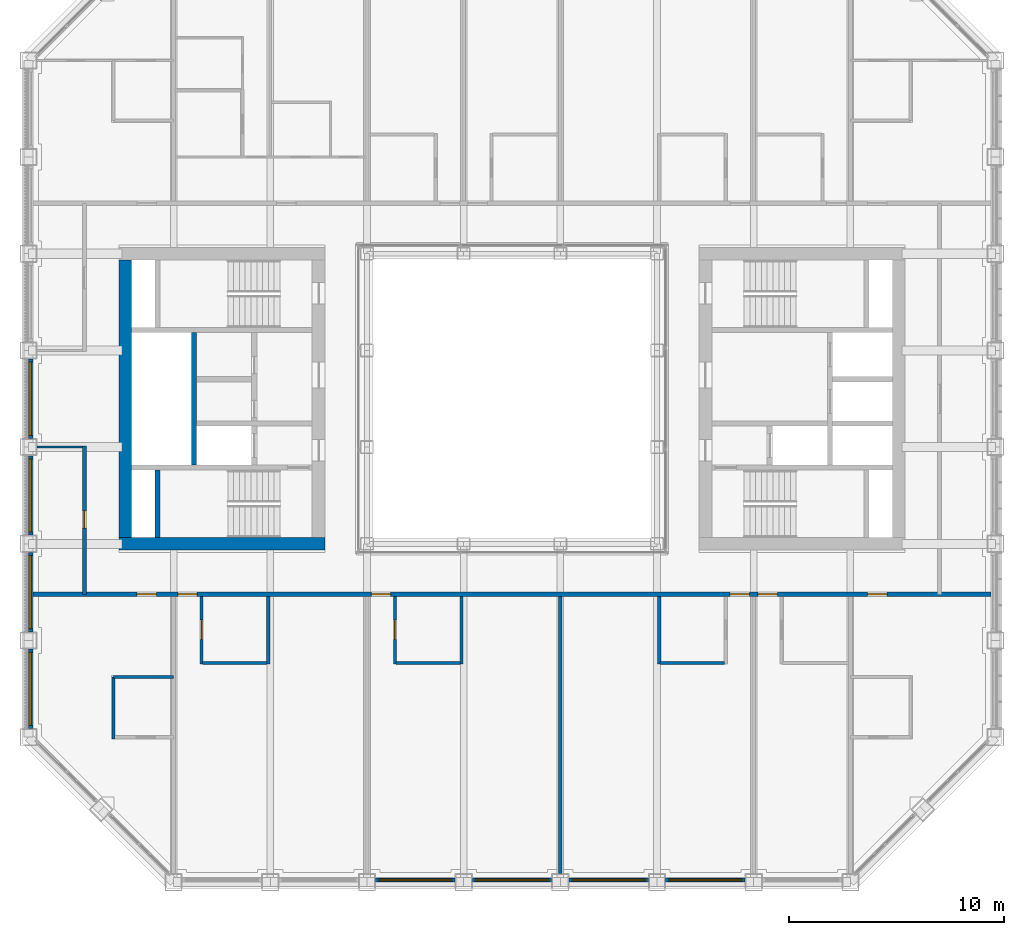
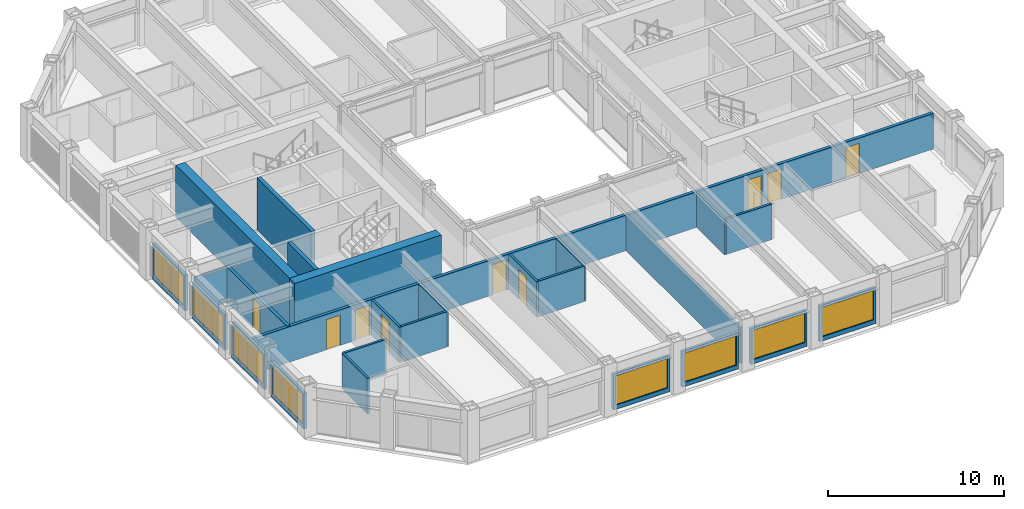
# One storey, part 10 of 17: 26 walls, 9 doors, 8 windows, 17 openings.
"""IFC4 building model written with IfcOpenShell, lengths in metres."""

from ifc_helpers import new_model, si_unit, direction, frame, frame_2d, origin, place, context, subcontext, project, spatial, rectangle, extrude, material, layer, layer_set, type_object, element, fill, save


model = new_model("IFC4")

# Units and contexts
model_context = context("Model", 3, precision=1e-05, world=origin(), true_north=direction((0.0, 1.0)))
body_context = subcontext(model_context, "Body", "Model", "MODEL_VIEW")
ifc_project = project(units=[si_unit("LENGTHUNIT", "METRE"), si_unit("AREAUNIT", "SQUARE_METRE"), si_unit("VOLUMEUNIT", "CUBIC_METRE"), si_unit("PLANEANGLEUNIT", "RADIAN"), si_unit("MASSUNIT", "GRAM", prefix="KILO")], contexts=[model_context])

# Site, building, storey
site_placement = place(None, origin())
site = spatial("IfcSite", under=ifc_project, at=site_placement, CompositionType="ELEMENT")
building_placement = place(site_placement, origin())
building = spatial("IfcBuilding", under=site, at=building_placement, Name="Msasa Ring Tower", CompositionType="ELEMENT")
storey_placement = place(building_placement, frame((0.0, 0.0, 172.39990234375)))
storey = spatial("IfcBuildingStorey", under=building, at=storey_placement, Name="L45", CompositionType="ELEMENT", Elevation=172.39990234375)

# Walls
ifc_material_1 = material(Name="Concrete C60/75", Category="concrete")
ifc_layer_1 = layer(ifc_material_1, 0.60009765625)
ifc_layer_set_1 = layer_set([ifc_layer_1], Name="CW2 CORE WALL 600")
wall_type_1 = type_object("IfcWallType", Name="CW2 CORE WALL 600", PredefinedType="SHEAR", material=ifc_layer_set_1)
wall_1_placement = place(storey_placement, frame((-8.699951171875, -6.75, 0.0), z_axis=(0.0, 0.0, 1.0), x_axis=(-1.0, 0.0, 0.0)))
element("IfcWall", 1, at=wall_1_placement, inside=storey, type_object=wall_type_1, Name="W core wall S L45", PredefinedType="SHEAR", context=body_context, shape_type="SweptSolid", body=[
    extrude(rectangle(XDim=9.60009765625, YDim=0.60009765625, at=frame_2d((4.800048828125, 0.0))), origin(), (0.0, 0.0, 1.0), 3.60009765625),
])
wall_2_placement = place(storey_placement, frame((-18.0, -6.449951171875, 0.0), z_axis=(0.0, 0.0, 1.0), x_axis=(0.0, 1.0, 0.0)))
element("IfcWall", 2, at=wall_2_placement, inside=storey, type_object=wall_type_1, Name="W core wall E L45", PredefinedType="SHEAR", context=body_context, shape_type="SweptSolid", body=[
    extrude(rectangle(XDim=12.89990234375, YDim=0.60009765625, at=frame_2d((6.449951171875, 0.0))), origin(), (0.0, 0.0, 1.0), 3.60009765625),
])
ifc_material_2 = material(Name="Concrete C60/75", Category="concrete")
ifc_layer_2 = layer(ifc_material_2, 0.25)
ifc_layer_set_2 = layer_set([ifc_layer_2], Name="CW4 CORE INNER WALL 250")
wall_type_2 = type_object("IfcWallType", Name="CW4 CORE INNER WALL 250", PredefinedType="SHEAR", material=ifc_layer_set_2)
wall_3_placement = place(storey_placement, frame((-16.5, -6.449951171875, 0.0), z_axis=(0.0, 0.0, 1.0), x_axis=(0.0, 1.0, 0.0)))
element("IfcWall", 3, at=wall_3_placement, inside=storey, type_object=wall_type_2, Name="W core wall RISERA L45", PredefinedType="SHEAR", context=body_context, shape_type="SweptSolid", body=[
    extrude(rectangle(XDim=3.125, YDim=0.25, at=frame_2d((1.5625, 0.0))), origin(), (0.0, 0.0, 1.0), 3.60009765625),
])
wall_4_placement = place(storey_placement, frame((-14.800048828125, -3.074951171875, 0.0), z_axis=(0.0, 0.0, 1.0), x_axis=(0.0, 1.0, 0.0)))
element("IfcWall", 4, at=wall_4_placement, inside=storey, type_object=wall_type_2, Name="W core wall SHAFT L45", PredefinedType="SHEAR", context=body_context, shape_type="SweptSolid", body=[
    extrude(rectangle(XDim=6.14990234375, YDim=0.25, at=frame_2d((3.074951171875, 0.0))), origin(), (0.0, 0.0, 1.0), 3.60009765625),
])

# Wall, opening, window
ifc_material_3 = material(Name="Terracotta rainscreen on blockwork", Category="masonry")
ifc_layer_3 = layer(ifc_material_3, 0.199951171875)
ifc_layer_set_3 = layer_set([ifc_layer_3], Name="FW1 TERRACOTTA-LINED INFILL BAY WALL 200")
wall_type_3 = type_object("IfcWallType", Name="FW1 TERRACOTTA-LINED INFILL BAY WALL 200", PredefinedType="SOLIDWALL", material=ifc_layer_set_3)
wall_5_placement = place(storey_placement, frame((-6.344970703125, -22.39990234375, 0.0), z_axis=(0.0, 0.0, 1.0), x_axis=(1.0, 0.0, 0.0)))
wall_5 = element("IfcWall", 5, at=wall_5_placement, inside=storey, type_object=wall_type_3, Name="Infill bay wall S L45 02", PredefinedType="SOLIDWALL", context=body_context, shape_type="SweptSolid", body=[
    extrude(rectangle(XDim=3.68994140625, YDim=0.199951171875, at=frame_2d((1.844970703125, 0.0))), origin(), (0.0, 0.0, 1.0), 2.47900390625),
])
opening_1_placement = place(wall_5_placement, frame((0.14501953125, 0.0, 0.300048828125)))
opening_1 = element("IfcOpeningElement", 6, at=opening_1_placement, cuts=wall_5, Name="Opening WN2", PredefinedType="OPENING", context=body_context, shape_type="SweptSolid", body=[
    extrude(rectangle(XDim=3.39990234375, YDim=2.029052734375, at=frame_2d((1.699951171875, 1.0146484375))), frame((0.0, 0.10986328125, 0.0), z_axis=(0.0, -1.0, 0.0), x_axis=(1.0, 0.0, 0.0)), (0.0, 0.0, 1.0), 0.219970703125),
])
ifc_material_4 = material(Name="Aluminium frame with clear glass", Category="aluminium")
window_type = type_object("IfcWindowType", Name="WN2 GUEST ROOM WINDOW 3400x2029", PartitioningType="SINGLE_PANEL", PredefinedType="WINDOW", material=ifc_material_4)
window_1_placement = place(opening_1_placement, origin())
window_1 = element("IfcWindow", 7, at=window_1_placement, inside=storey, type_object=window_type, Name="Window S L45 02", OverallHeight=2.029052734375, OverallWidth=3.39990234375, PartitioningType="SINGLE_PANEL", PredefinedType="WINDOW", context=body_context, shape_type="SweptSolid", body=[
    extrude(rectangle(XDim=3.39990234375, YDim=2.029052734375, at=frame_2d((1.699951171875, 1.0146484375))), frame((0.0, 0.030029296875, 0.0), z_axis=(0.0, -1.0, 0.0), x_axis=(1.0, 0.0, 0.0)), (0.0, 0.0, 1.0), 0.06005859375),
])
fill(opening_1, window_1)

wall_6_placement = place(storey_placement, frame((-1.844970703125, -22.39990234375, 0.0), z_axis=(0.0, 0.0, 1.0), x_axis=(1.0, 0.0, 0.0)))
wall_6 = element("IfcWall", 8, at=wall_6_placement, inside=storey, type_object=wall_type_3, Name="Infill bay wall S L45 03", PredefinedType="SOLIDWALL", context=body_context, shape_type="SweptSolid", body=[
    extrude(rectangle(XDim=3.68994140625, YDim=0.199951171875, at=frame_2d((1.844970703125, 0.0))), origin(), (0.0, 0.0, 1.0), 2.47900390625),
])
opening_2_placement = place(wall_6_placement, frame((0.14501953125, 0.0, 0.300048828125)))
opening_2 = element("IfcOpeningElement", 9, at=opening_2_placement, cuts=wall_6, Name="Opening WN2", PredefinedType="OPENING", context=body_context, shape_type="SweptSolid", body=[
    extrude(rectangle(XDim=3.39990234375, YDim=2.029052734375, at=frame_2d((1.699951171875, 1.0146484375))), frame((0.0, 0.10986328125, 0.0), z_axis=(0.0, -1.0, 0.0), x_axis=(1.0, 0.0, 0.0)), (0.0, 0.0, 1.0), 0.219970703125),
])
window_2_placement = place(opening_2_placement, origin())
window_2 = element("IfcWindow", 10, at=window_2_placement, inside=storey, type_object=window_type, Name="Window S L45 03", OverallHeight=2.029052734375, OverallWidth=3.39990234375, PartitioningType="SINGLE_PANEL", PredefinedType="WINDOW", context=body_context, shape_type="SweptSolid", body=[
    extrude(rectangle(XDim=3.39990234375, YDim=2.029052734375, at=frame_2d((1.699951171875, 1.0146484375))), frame((0.0, 0.030029296875, 0.0), z_axis=(0.0, -1.0, 0.0), x_axis=(1.0, 0.0, 0.0)), (0.0, 0.0, 1.0), 0.06005859375),
])
fill(opening_2, window_2)

wall_7_placement = place(storey_placement, frame((2.655029296875, -22.39990234375, 0.0), z_axis=(0.0, 0.0, 1.0), x_axis=(1.0, 0.0, 0.0)))
wall_7 = element("IfcWall", 11, at=wall_7_placement, inside=storey, type_object=wall_type_3, Name="Infill bay wall S L45 04", PredefinedType="SOLIDWALL", context=body_context, shape_type="SweptSolid", body=[
    extrude(rectangle(XDim=3.68994140625, YDim=0.199951171875, at=frame_2d((1.844970703125, 0.0))), origin(), (0.0, 0.0, 1.0), 2.47900390625),
])
opening_3_placement = place(wall_7_placement, frame((0.14501953125, 0.0, 0.300048828125)))
opening_3 = element("IfcOpeningElement", 12, at=opening_3_placement, cuts=wall_7, Name="Opening WN2", PredefinedType="OPENING", context=body_context, shape_type="SweptSolid", body=[
    extrude(rectangle(XDim=3.39990234375, YDim=2.029052734375, at=frame_2d((1.699951171875, 1.0146484375))), frame((0.0, 0.10986328125, 0.0), z_axis=(0.0, -1.0, 0.0), x_axis=(1.0, 0.0, 0.0)), (0.0, 0.0, 1.0), 0.219970703125),
])
window_3_placement = place(opening_3_placement, origin())
window_3 = element("IfcWindow", 13, at=window_3_placement, inside=storey, type_object=window_type, Name="Window S L45 04", OverallHeight=2.029052734375, OverallWidth=3.39990234375, PartitioningType="SINGLE_PANEL", PredefinedType="WINDOW", context=body_context, shape_type="SweptSolid", body=[
    extrude(rectangle(XDim=3.39990234375, YDim=2.029052734375, at=frame_2d((1.699951171875, 1.0146484375))), frame((0.0, 0.030029296875, 0.0), z_axis=(0.0, -1.0, 0.0), x_axis=(1.0, 0.0, 0.0)), (0.0, 0.0, 1.0), 0.06005859375),
])
fill(opening_3, window_3)

wall_8_placement = place(storey_placement, frame((7.155029296875, -22.39990234375, 0.0), z_axis=(0.0, 0.0, 1.0), x_axis=(1.0, 0.0, 0.0)))
wall_8 = element("IfcWall", 14, at=wall_8_placement, inside=storey, type_object=wall_type_3, Name="Infill bay wall S L45 05", PredefinedType="SOLIDWALL", context=body_context, shape_type="SweptSolid", body=[
    extrude(rectangle(XDim=3.68994140625, YDim=0.199951171875, at=frame_2d((1.844970703125, 0.0))), origin(), (0.0, 0.0, 1.0), 2.47900390625),
])
opening_4_placement = place(wall_8_placement, frame((0.14501953125, 0.0, 0.300048828125)))
opening_4 = element("IfcOpeningElement", 15, at=opening_4_placement, cuts=wall_8, Name="Opening WN2", PredefinedType="OPENING", context=body_context, shape_type="SweptSolid", body=[
    extrude(rectangle(XDim=3.39990234375, YDim=2.029052734375, at=frame_2d((1.699951171875, 1.0146484375))), frame((0.0, 0.10986328125, 0.0), z_axis=(0.0, -1.0, 0.0), x_axis=(1.0, 0.0, 0.0)), (0.0, 0.0, 1.0), 0.219970703125),
])
window_4_placement = place(opening_4_placement, origin())
window_4 = element("IfcWindow", 16, at=window_4_placement, inside=storey, type_object=window_type, Name="Window S L45 05", OverallHeight=2.029052734375, OverallWidth=3.39990234375, PartitioningType="SINGLE_PANEL", PredefinedType="WINDOW", context=body_context, shape_type="SweptSolid", body=[
    extrude(rectangle(XDim=3.39990234375, YDim=2.029052734375, at=frame_2d((1.699951171875, 1.0146484375))), frame((0.0, 0.030029296875, 0.0), z_axis=(0.0, -1.0, 0.0), x_axis=(1.0, 0.0, 0.0)), (0.0, 0.0, 1.0), 0.06005859375),
])
fill(opening_4, window_4)

wall_9_placement = place(storey_placement, frame((-22.39990234375, -15.344970703125, 0.0), z_axis=(0.0, 0.0, 1.0), x_axis=(0.0, 1.0, 0.0)))
wall_9 = element("IfcWall", 17, at=wall_9_placement, inside=storey, type_object=wall_type_3, Name="Infill bay wall W L45 27", PredefinedType="SOLIDWALL", context=body_context, shape_type="SweptSolid", body=[
    extrude(rectangle(XDim=3.68994140625, YDim=0.199951171875, at=frame_2d((1.844970703125, 0.0))), origin(), (0.0, 0.0, 1.0), 2.47900390625),
])
opening_5_placement = place(wall_9_placement, frame((0.14501953125, 0.0, 0.300048828125)))
opening_5 = element("IfcOpeningElement", 18, at=opening_5_placement, cuts=wall_9, Name="Opening WN2", PredefinedType="OPENING", context=body_context, shape_type="SweptSolid", body=[
    extrude(rectangle(XDim=3.39990234375, YDim=2.029052734375, at=frame_2d((1.699951171875, 1.0146484375))), frame((0.0, 0.10986328125, 0.0), z_axis=(0.0, -1.0, 0.0), x_axis=(1.0, 0.0, 0.0)), (0.0, 0.0, 1.0), 0.219970703125),
])
window_5_placement = place(opening_5_placement, origin())
window_5 = element("IfcWindow", 19, at=window_5_placement, inside=storey, type_object=window_type, Name="Window W L45 27", OverallHeight=2.029052734375, OverallWidth=3.39990234375, PartitioningType="SINGLE_PANEL", PredefinedType="WINDOW", context=body_context, shape_type="SweptSolid", body=[
    extrude(rectangle(XDim=3.39990234375, YDim=2.029052734375, at=frame_2d((1.699951171875, 1.0146484375))), frame((0.0, 0.030029296875, 0.0), z_axis=(0.0, -1.0, 0.0), x_axis=(1.0, 0.0, 0.0)), (0.0, 0.0, 1.0), 0.06005859375),
])
fill(opening_5, window_5)

wall_10_placement = place(storey_placement, frame((-22.39990234375, -10.844970703125, 0.0), z_axis=(0.0, 0.0, 1.0), x_axis=(0.0, 1.0, 0.0)))
wall_10 = element("IfcWall", 20, at=wall_10_placement, inside=storey, type_object=wall_type_3, Name="Infill bay wall W L45 28", PredefinedType="SOLIDWALL", context=body_context, shape_type="SweptSolid", body=[
    extrude(rectangle(XDim=3.68994140625, YDim=0.199951171875, at=frame_2d((1.844970703125, 0.0))), origin(), (0.0, 0.0, 1.0), 2.47900390625),
])
opening_6_placement = place(wall_10_placement, frame((0.14501953125, 0.0, 0.300048828125)))
opening_6 = element("IfcOpeningElement", 21, at=opening_6_placement, cuts=wall_10, Name="Opening WN2", PredefinedType="OPENING", context=body_context, shape_type="SweptSolid", body=[
    extrude(rectangle(XDim=3.39990234375, YDim=2.029052734375, at=frame_2d((1.699951171875, 1.0146484375))), frame((0.0, 0.10986328125, 0.0), z_axis=(0.0, -1.0, 0.0), x_axis=(1.0, 0.0, 0.0)), (0.0, 0.0, 1.0), 0.219970703125),
])
window_6_placement = place(opening_6_placement, origin())
window_6 = element("IfcWindow", 22, at=window_6_placement, inside=storey, type_object=window_type, Name="Window W L45 28", OverallHeight=2.029052734375, OverallWidth=3.39990234375, PartitioningType="SINGLE_PANEL", PredefinedType="WINDOW", context=body_context, shape_type="SweptSolid", body=[
    extrude(rectangle(XDim=3.39990234375, YDim=2.029052734375, at=frame_2d((1.699951171875, 1.0146484375))), frame((0.0, 0.030029296875, 0.0), z_axis=(0.0, -1.0, 0.0), x_axis=(1.0, 0.0, 0.0)), (0.0, 0.0, 1.0), 0.06005859375),
])
fill(opening_6, window_6)

wall_11_placement = place(storey_placement, frame((-22.39990234375, -6.344970703125, 0.0), z_axis=(0.0, 0.0, 1.0), x_axis=(0.0, 1.0, 0.0)))
wall_11 = element("IfcWall", 23, at=wall_11_placement, inside=storey, type_object=wall_type_3, Name="Infill bay wall W L45 29", PredefinedType="SOLIDWALL", context=body_context, shape_type="SweptSolid", body=[
    extrude(rectangle(XDim=3.68994140625, YDim=0.199951171875, at=frame_2d((1.844970703125, 0.0))), origin(), (0.0, 0.0, 1.0), 2.47900390625),
])
opening_7_placement = place(wall_11_placement, frame((0.14501953125, 0.0, 0.300048828125)))
opening_7 = element("IfcOpeningElement", 24, at=opening_7_placement, cuts=wall_11, Name="Opening WN2", PredefinedType="OPENING", context=body_context, shape_type="SweptSolid", body=[
    extrude(rectangle(XDim=3.39990234375, YDim=2.029052734375, at=frame_2d((1.699951171875, 1.0146484375))), frame((0.0, 0.10986328125, 0.0), z_axis=(0.0, -1.0, 0.0), x_axis=(1.0, 0.0, 0.0)), (0.0, 0.0, 1.0), 0.219970703125),
])
window_7_placement = place(opening_7_placement, origin())
window_7 = element("IfcWindow", 25, at=window_7_placement, inside=storey, type_object=window_type, Name="Window W L45 29", OverallHeight=2.029052734375, OverallWidth=3.39990234375, PartitioningType="SINGLE_PANEL", PredefinedType="WINDOW", context=body_context, shape_type="SweptSolid", body=[
    extrude(rectangle(XDim=3.39990234375, YDim=2.029052734375, at=frame_2d((1.699951171875, 1.0146484375))), frame((0.0, 0.030029296875, 0.0), z_axis=(0.0, -1.0, 0.0), x_axis=(1.0, 0.0, 0.0)), (0.0, 0.0, 1.0), 0.06005859375),
])
fill(opening_7, window_7)

wall_12_placement = place(storey_placement, frame((-22.39990234375, -1.844970703125, 0.0), z_axis=(0.0, 0.0, 1.0), x_axis=(0.0, 1.0, 0.0)))
wall_12 = element("IfcWall", 26, at=wall_12_placement, inside=storey, type_object=wall_type_3, Name="Infill bay wall W L45 30", PredefinedType="SOLIDWALL", context=body_context, shape_type="SweptSolid", body=[
    extrude(rectangle(XDim=3.68994140625, YDim=0.199951171875, at=frame_2d((1.844970703125, 0.0))), origin(), (0.0, 0.0, 1.0), 2.47900390625),
])
opening_8_placement = place(wall_12_placement, frame((0.14501953125, 0.0, 0.300048828125)))
opening_8 = element("IfcOpeningElement", 27, at=opening_8_placement, cuts=wall_12, Name="Opening WN2", PredefinedType="OPENING", context=body_context, shape_type="SweptSolid", body=[
    extrude(rectangle(XDim=3.39990234375, YDim=2.029052734375, at=frame_2d((1.699951171875, 1.0146484375))), frame((0.0, 0.10986328125, 0.0), z_axis=(0.0, -1.0, 0.0), x_axis=(1.0, 0.0, 0.0)), (0.0, 0.0, 1.0), 0.219970703125),
])
window_8_placement = place(opening_8_placement, origin())
window_8 = element("IfcWindow", 28, at=window_8_placement, inside=storey, type_object=window_type, Name="Window W L45 30", OverallHeight=2.029052734375, OverallWidth=3.39990234375, PartitioningType="SINGLE_PANEL", PredefinedType="WINDOW", context=body_context, shape_type="SweptSolid", body=[
    extrude(rectangle(XDim=3.39990234375, YDim=2.029052734375, at=frame_2d((1.699951171875, 1.0146484375))), frame((0.0, 0.030029296875, 0.0), z_axis=(0.0, -1.0, 0.0), x_axis=(1.0, 0.0, 0.0)), (0.0, 0.0, 1.0), 0.06005859375),
])
fill(opening_8, window_8)

# Wall, openings, doors
ifc_material_5 = material(Name="Concrete blockwork", Category="masonry")
ifc_layer_4 = layer(ifc_material_5, 0.199951171875)
ifc_layer_set_4 = layer_set([ifc_layer_4], Name="PT1 CORRIDOR WALL 200")
wall_type_4 = type_object("IfcWallType", Name="PT1 CORRIDOR WALL 200", PredefinedType="PARTITIONING", material=ifc_layer_set_4)
wall_13_placement = place(storey_placement, frame((-22.300048828125, -9.10009765625, 0.0), z_axis=(0.0, 0.0, 1.0), x_axis=(1.0, 0.0, 0.0)))
wall_13 = element("IfcWall", 29, at=wall_13_placement, inside=storey, type_object=wall_type_4, Name="Corridor wall L45-CORRS0", PredefinedType="PARTITIONING", context=body_context, shape_type="SweptSolid", body=[
    extrude(rectangle(XDim=44.60009765625, YDim=0.199951171875, at=frame_2d((22.300048828125, 0.0))), origin(), (0.0, 0.0, 1.0), 2.473388671875),
])
opening_9_placement = place(wall_13_placement, frame((6.75, 0.0, 0.0)))
opening_9 = element("IfcOpeningElement", 30, at=opening_9_placement, cuts=wall_13, Name="Opening HF-035", PredefinedType="OPENING", context=body_context, shape_type="SweptSolid", body=[
    extrude(rectangle(XDim=0.89990234375, YDim=2.10009765625, at=frame_2d((0.449951171875, 1.050048828125))), frame((0.0, 0.10986328125, 0.0), z_axis=(0.0, -1.0, 0.0), x_axis=(1.0, 0.0, 0.0)), (0.0, 0.0, 1.0), 0.219970703125),
])
opening_10_placement = place(wall_13_placement, frame((15.75, 0.0, 0.0)))
opening_10 = element("IfcOpeningElement", 31, at=opening_10_placement, cuts=wall_13, Name="Opening HF-036", PredefinedType="OPENING", context=body_context, shape_type="SweptSolid", body=[
    extrude(rectangle(XDim=0.89990234375, YDim=2.10009765625, at=frame_2d((0.449951171875, 1.050048828125))), frame((0.0, 0.10986328125, 0.0), z_axis=(0.0, -1.0, 0.0), x_axis=(1.0, 0.0, 0.0)), (0.0, 0.0, 1.0), 0.219970703125),
])
opening_11_placement = place(wall_13_placement, frame((32.449951171875, 0.0, 0.0)))
opening_11 = element("IfcOpeningElement", 32, at=opening_11_placement, cuts=wall_13, Name="Opening HF-037", PredefinedType="OPENING", context=body_context, shape_type="SweptSolid", body=[
    extrude(rectangle(XDim=0.89990234375, YDim=2.10009765625, at=frame_2d((0.449951171875, 1.050048828125))), frame((0.0, 0.10986328125, 0.0), z_axis=(0.0, -1.0, 0.0), x_axis=(1.0, 0.0, 0.0)), (0.0, 0.0, 1.0), 0.219970703125),
])
opening_12_placement = place(wall_13_placement, frame((33.75, 0.0, 0.0)))
opening_12 = element("IfcOpeningElement", 33, at=opening_12_placement, cuts=wall_13, Name="Opening HF-038", PredefinedType="OPENING", context=body_context, shape_type="SweptSolid", body=[
    extrude(rectangle(XDim=0.89990234375, YDim=2.10009765625, at=frame_2d((0.449951171875, 1.050048828125))), frame((0.0, 0.10986328125, 0.0), z_axis=(0.0, -1.0, 0.0), x_axis=(1.0, 0.0, 0.0)), (0.0, 0.0, 1.0), 0.219970703125),
])
opening_13_placement = place(wall_13_placement, frame((38.85009765625, 0.0, 0.0)))
opening_13 = element("IfcOpeningElement", 34, at=opening_13_placement, cuts=wall_13, Name="Opening HF-039", PredefinedType="OPENING", context=body_context, shape_type="SweptSolid", body=[
    extrude(rectangle(XDim=0.89990234375, YDim=2.10009765625, at=frame_2d((0.449951171875, 1.050048828125))), frame((0.0, 0.10986328125, 0.0), z_axis=(0.0, -1.0, 0.0), x_axis=(1.0, 0.0, 0.0)), (0.0, 0.0, 1.0), 0.219970703125),
])
opening_14_placement = place(wall_13_placement, frame((4.85009765625, 0.0, 0.0)))
opening_14 = element("IfcOpeningElement", 35, at=opening_14_placement, cuts=wall_13, Name="Opening HF-034", PredefinedType="OPENING", context=body_context, shape_type="SweptSolid", body=[
    extrude(rectangle(XDim=0.89990234375, YDim=2.10009765625, at=frame_2d((0.449951171875, 1.050048828125))), frame((0.0, 0.10986328125, 0.0), z_axis=(0.0, -1.0, 0.0), x_axis=(1.0, 0.0, 0.0)), (0.0, 0.0, 1.0), 0.219970703125),
])
ifc_material_6 = material(Name="Timber door leaf in a steel frame", Category="steel")
door_type_1 = type_object("IfcDoorType", Name="D1 SINGLE DOOR TO CORRIDOR 900x2100", OperationType="SINGLE_SWING_LEFT", PredefinedType="DOOR", material=ifc_material_6)
door_1_placement = place(opening_9_placement, origin())
door_1 = element("IfcDoor", 36, at=door_1_placement, inside=storey, type_object=door_type_1, Name="Door L45-GS00", OperationType="SINGLE_SWING_LEFT", OverallHeight=2.10009765625, OverallWidth=0.89990234375, PredefinedType="DOOR", context=body_context, shape_type="SweptSolid", body=[
    extrude(rectangle(XDim=0.89990234375, YDim=2.10009765625, at=frame_2d((0.449951171875, 1.050048828125))), frame((0.0, 0.02490234375, 0.0), z_axis=(0.0, -1.0, 0.0), x_axis=(1.0, 0.0, 0.0)), (0.0, 0.0, 1.0), 0.050048828125),
])
fill(opening_9, door_1)
door_2_placement = place(opening_10_placement, origin())
door_2 = element("IfcDoor", 37, at=door_2_placement, inside=storey, type_object=door_type_1, Name="Door L45-GS01", OperationType="SINGLE_SWING_LEFT", OverallHeight=2.10009765625, OverallWidth=0.89990234375, PredefinedType="DOOR", context=body_context, shape_type="SweptSolid", body=[
    extrude(rectangle(XDim=0.89990234375, YDim=2.10009765625, at=frame_2d((0.449951171875, 1.050048828125))), frame((0.0, 0.02490234375, 0.0), z_axis=(0.0, -1.0, 0.0), x_axis=(1.0, 0.0, 0.0)), (0.0, 0.0, 1.0), 0.050048828125),
])
fill(opening_10, door_2)
door_3_placement = place(opening_11_placement, origin())
door_3 = element("IfcDoor", 38, at=door_3_placement, inside=storey, type_object=door_type_1, Name="Door L45-GS02", OperationType="SINGLE_SWING_RIGHT", OverallHeight=2.10009765625, OverallWidth=0.89990234375, PredefinedType="DOOR", context=body_context, shape_type="SweptSolid", body=[
    extrude(rectangle(XDim=0.89990234375, YDim=2.10009765625, at=frame_2d((0.449951171875, 1.050048828125))), frame((0.0, 0.02490234375, 0.0), z_axis=(0.0, -1.0, 0.0), x_axis=(1.0, 0.0, 0.0)), (0.0, 0.0, 1.0), 0.050048828125),
])
fill(opening_11, door_3)
door_4_placement = place(opening_12_placement, origin())
door_4 = element("IfcDoor", 39, at=door_4_placement, inside=storey, type_object=door_type_1, Name="Door L45-GS03", OperationType="SINGLE_SWING_RIGHT", OverallHeight=2.10009765625, OverallWidth=0.89990234375, PredefinedType="DOOR", context=body_context, shape_type="SweptSolid", body=[
    extrude(rectangle(XDim=0.89990234375, YDim=2.10009765625, at=frame_2d((0.449951171875, 1.050048828125))), frame((0.0, 0.02490234375, 0.0), z_axis=(0.0, -1.0, 0.0), x_axis=(1.0, 0.0, 0.0)), (0.0, 0.0, 1.0), 0.050048828125),
])
fill(opening_12, door_4)
ifc_material_7 = material(Name="Timber door leaf in a steel frame", Category="steel")
door_type_2 = type_object("IfcDoorType", Name="D2 ENTRANCE DOOR 900x2100", OperationType="SINGLE_SWING_LEFT", PredefinedType="DOOR", material=ifc_material_7)
door_5_placement = place(opening_13_placement, origin())
door_5 = element("IfcDoor", 40, at=door_5_placement, inside=storey, type_object=door_type_2, Name="Door L45-CSSE", OperationType="SINGLE_SWING_RIGHT", OverallHeight=2.10009765625, OverallWidth=0.89990234375, PredefinedType="DOOR", context=body_context, shape_type="SweptSolid", body=[
    extrude(rectangle(XDim=0.89990234375, YDim=2.10009765625, at=frame_2d((0.449951171875, 1.050048828125))), frame((0.0, 0.02490234375, 0.0), z_axis=(0.0, -1.0, 0.0), x_axis=(1.0, 0.0, 0.0)), (0.0, 0.0, 1.0), 0.050048828125),
])
fill(opening_13, door_5)
door_6_placement = place(opening_14_placement, origin())
door_6 = element("IfcDoor", 41, at=door_6_placement, inside=storey, type_object=door_type_2, Name="Door L45-CSSW", OperationType="SINGLE_SWING_LEFT", OverallHeight=2.10009765625, OverallWidth=0.89990234375, PredefinedType="DOOR", context=body_context, shape_type="SweptSolid", body=[
    extrude(rectangle(XDim=0.89990234375, YDim=2.10009765625, at=frame_2d((0.449951171875, 1.050048828125))), frame((0.0, 0.02490234375, 0.0), z_axis=(0.0, -1.0, 0.0), x_axis=(1.0, 0.0, 0.0)), (0.0, 0.0, 1.0), 0.050048828125),
])
fill(opening_14, door_6)

# Wall, opening, door
wall_14_placement = place(storey_placement, frame((-19.89990234375, -9.10009765625, 0.0), z_axis=(0.0, 0.0, 1.0), x_axis=(0.0, 1.0, 0.0)))
wall_14 = element("IfcWall", 42, at=wall_14_placement, inside=storey, type_object=wall_type_4, Name="Corridor wall L45-STRWS", PredefinedType="PARTITIONING", context=body_context, shape_type="SweptSolid", body=[
    extrude(rectangle(XDim=6.900146484375, YDim=0.199951171875, at=frame_2d((3.4501953125, 0.0))), origin(), (0.0, 0.0, 1.0), 2.473388671875),
])
opening_15_placement = place(wall_14_placement, frame((3.074951171875, 0.0, 0.0)))
opening_15 = element("IfcOpeningElement", 43, at=opening_15_placement, cuts=wall_14, Name="Opening HF-033", PredefinedType="OPENING", context=body_context, shape_type="SweptSolid", body=[
    extrude(rectangle(XDim=0.800048828125, YDim=2.10009765625, at=frame_2d((0.39990234375, 1.050048828125))), frame((0.0, 0.10986328125, 0.0), z_axis=(0.0, -1.0, 0.0), x_axis=(1.0, 0.0, 0.0)), (0.0, 0.0, 1.0), 0.219970703125),
])
ifc_material_8 = material(Name="Timber door leaf in a steel frame", Category="steel")
door_type_3 = type_object("IfcDoorType", Name="D11 NARROW STORE DOOR 800x2100", OperationType="SINGLE_SWING_LEFT", PredefinedType="DOOR", material=ifc_material_8)
door_7_placement = place(opening_15_placement, origin())
door_7 = element("IfcDoor", 44, at=door_7_placement, inside=storey, type_object=door_type_3, Name="Door L45-CLW", OperationType="SINGLE_SWING_LEFT", OverallHeight=2.10009765625, OverallWidth=0.800048828125, PredefinedType="DOOR", context=body_context, shape_type="SweptSolid", body=[
    extrude(rectangle(XDim=0.800048828125, YDim=2.10009765625, at=frame_2d((0.39990234375, 1.050048828125))), frame((0.0, 0.02490234375, 0.0), z_axis=(0.0, -1.0, 0.0), x_axis=(1.0, 0.0, 0.0)), (0.0, 0.0, 1.0), 0.050048828125),
])
fill(opening_15, door_7)

# Wall
ifc_material_9 = material(Name="Gypsum board on steel studs", Category="steel")
ifc_layer_5 = layer(ifc_material_9, 0.10009765625)
ifc_layer_set_5 = layer_set([ifc_layer_5], Name="PT2 STUD PARTITION 100")
wall_type_5 = type_object("IfcWallType", Name="PT2 STUD PARTITION 100", PredefinedType="PARTITIONING", material=ifc_layer_set_5)
wall_15_placement = place(storey_placement, frame((-22.10009765625, -2.25, 0.0), z_axis=(0.0, 0.0, 1.0), x_axis=(1.0, 0.0, 0.0)))
element("IfcWall", 45, at=wall_15_placement, inside=storey, type_object=wall_type_5, Name="Partition L45-ALWS", PredefinedType="PARTITIONING", context=body_context, shape_type="SweptSolid", body=[
    extrude(rectangle(XDim=2.10009765625, YDim=0.10009765625, at=frame_2d((1.050048828125, 0.0))), origin(), (0.0, 0.0, 1.0), 2.473388671875),
])

# Wall, opening, door
ifc_material_10 = material(Name="Moisture-resistant board on steel studs with a concealed cistern and pipe void, tiled", Category="steel")
ifc_layer_6 = layer(ifc_material_10, 0.14990234375)
ifc_layer_set_6 = layer_set([ifc_layer_6], Name="PT4 BATHROOM WET WALL 150")
wall_type_6 = type_object("IfcWallType", Name="PT4 BATHROOM WET WALL 150", PredefinedType="PARTITIONING", material=ifc_layer_set_6)
wall_16_placement = place(storey_placement, frame((-14.449951171875, -12.35009765625, 0.0), z_axis=(0.0, 0.0, 1.0), x_axis=(0.0, 1.0, 0.0)))
wall_16 = element("IfcWall", 46, at=wall_16_placement, inside=storey, type_object=wall_type_6, Name="Partition L45-GS00BX", PredefinedType="PARTITIONING", context=body_context, shape_type="SweptSolid", body=[
    extrude(rectangle(XDim=3.150146484375, YDim=0.14990234375, at=frame_2d((1.5751953125, 0.0))), origin(), (0.0, 0.0, 1.0), 2.473388671875),
])
opening_16_placement = place(wall_16_placement, frame((1.14990234375, 0.0, 0.0)))
opening_16 = element("IfcOpeningElement", 47, at=opening_16_placement, cuts=wall_16, Name="Opening HF-040", PredefinedType="OPENING", context=body_context, shape_type="SweptSolid", body=[
    extrude(rectangle(XDim=0.89990234375, YDim=2.10009765625, at=frame_2d((0.449951171875, 1.050048828125))), frame((0.0, 0.0849609375, 0.0), z_axis=(0.0, -1.0, 0.0), x_axis=(1.0, 0.0, 0.0)), (0.0, 0.0, 1.0), 0.169921875),
])
ifc_material_11 = material(Name="Timber door leaf in a steel frame", Category="steel")
door_type_4 = type_object("IfcDoorType", Name="D3 BATHROOM DOOR 900x2100", OperationType="SINGLE_SWING_LEFT", PredefinedType="DOOR", material=ifc_material_11)
door_8_placement = place(opening_16_placement, origin())
door_8 = element("IfcDoor", 48, at=door_8_placement, inside=storey, type_object=door_type_4, Name="Door L45-GS00B", OperationType="SINGLE_SWING_LEFT", OverallHeight=2.10009765625, OverallWidth=0.89990234375, PredefinedType="DOOR", context=body_context, shape_type="SweptSolid", body=[
    extrude(rectangle(XDim=0.89990234375, YDim=2.10009765625, at=frame_2d((0.449951171875, 1.050048828125))), frame((0.0, 0.02490234375, 0.0), z_axis=(0.0, -1.0, 0.0), x_axis=(1.0, 0.0, 0.0)), (0.0, 0.0, 1.0), 0.050048828125),
])
fill(opening_16, door_8)

# Walls
wall_17_placement = place(storey_placement, frame((-11.35009765625, -12.35009765625, 0.0), z_axis=(0.0, 0.0, 1.0), x_axis=(0.0, 1.0, 0.0)))
element("IfcWall", 49, at=wall_17_placement, inside=storey, type_object=wall_type_6, Name="Partition L45-GS00BF", PredefinedType="PARTITIONING", context=body_context, shape_type="SweptSolid", body=[
    extrude(rectangle(XDim=3.150146484375, YDim=0.14990234375, at=frame_2d((1.5751953125, 0.0))), origin(), (0.0, 0.0, 1.0), 2.473388671875),
])
wall_18_placement = place(storey_placement, frame((-14.39990234375, -12.300048828125, 0.0), z_axis=(0.0, 0.0, 1.0), x_axis=(1.0, 0.0, 0.0)))
element("IfcWall", 50, at=wall_18_placement, inside=storey, type_object=wall_type_6, Name="Partition L45-GS00BY", PredefinedType="PARTITIONING", context=body_context, shape_type="SweptSolid", body=[
    extrude(rectangle(XDim=3.0, YDim=0.14990234375, at=frame_2d((1.5, 0.0))), origin(), (0.0, 0.0, 1.0), 2.473388671875),
])

# Wall, opening, door
wall_19_placement = place(storey_placement, frame((-5.449951171875, -12.35009765625, 0.0), z_axis=(0.0, 0.0, 1.0), x_axis=(0.0, 1.0, 0.0)))
wall_19 = element("IfcWall", 51, at=wall_19_placement, inside=storey, type_object=wall_type_6, Name="Partition L45-GS01BX", PredefinedType="PARTITIONING", context=body_context, shape_type="SweptSolid", body=[
    extrude(rectangle(XDim=3.150146484375, YDim=0.14990234375, at=frame_2d((1.5751953125, 0.0))), origin(), (0.0, 0.0, 1.0), 2.473388671875),
])
opening_17_placement = place(wall_19_placement, frame((1.14990234375, 0.0, 0.0)))
opening_17 = element("IfcOpeningElement", 52, at=opening_17_placement, cuts=wall_19, Name="Opening HF-041", PredefinedType="OPENING", context=body_context, shape_type="SweptSolid", body=[
    extrude(rectangle(XDim=0.89990234375, YDim=2.10009765625, at=frame_2d((0.449951171875, 1.050048828125))), frame((0.0, 0.0849609375, 0.0), z_axis=(0.0, -1.0, 0.0), x_axis=(1.0, 0.0, 0.0)), (0.0, 0.0, 1.0), 0.169921875),
])
door_9_placement = place(opening_17_placement, origin())
door_9 = element("IfcDoor", 53, at=door_9_placement, inside=storey, type_object=door_type_4, Name="Door L45-GS01B", OperationType="SINGLE_SWING_LEFT", OverallHeight=2.10009765625, OverallWidth=0.89990234375, PredefinedType="DOOR", context=body_context, shape_type="SweptSolid", body=[
    extrude(rectangle(XDim=0.89990234375, YDim=2.10009765625, at=frame_2d((0.449951171875, 1.050048828125))), frame((0.0, 0.02490234375, 0.0), z_axis=(0.0, -1.0, 0.0), x_axis=(1.0, 0.0, 0.0)), (0.0, 0.0, 1.0), 0.050048828125),
])
fill(opening_17, door_9)

# Walls
wall_20_placement = place(storey_placement, frame((-2.35009765625, -12.35009765625, 0.0), z_axis=(0.0, 0.0, 1.0), x_axis=(0.0, 1.0, 0.0)))
element("IfcWall", 54, at=wall_20_placement, inside=storey, type_object=wall_type_6, Name="Partition L45-GS01BF", PredefinedType="PARTITIONING", context=body_context, shape_type="SweptSolid", body=[
    extrude(rectangle(XDim=3.150146484375, YDim=0.14990234375, at=frame_2d((1.5751953125, 0.0))), origin(), (0.0, 0.0, 1.0), 2.473388671875),
])
wall_21_placement = place(storey_placement, frame((-5.39990234375, -12.300048828125, 0.0), z_axis=(0.0, 0.0, 1.0), x_axis=(1.0, 0.0, 0.0)))
element("IfcWall", 55, at=wall_21_placement, inside=storey, type_object=wall_type_6, Name="Partition L45-GS01BY", PredefinedType="PARTITIONING", context=body_context, shape_type="SweptSolid", body=[
    extrude(rectangle(XDim=3.0, YDim=0.14990234375, at=frame_2d((1.5, 0.0))), origin(), (0.0, 0.0, 1.0), 2.473388671875),
])
wall_22_placement = place(storey_placement, frame((6.85009765625, -12.35009765625, 0.0), z_axis=(0.0, 0.0, 1.0), x_axis=(0.0, 1.0, 0.0)))
element("IfcWall", 56, at=wall_22_placement, inside=storey, type_object=wall_type_6, Name="Partition L45-GS02BF", PredefinedType="PARTITIONING", context=body_context, shape_type="SweptSolid", body=[
    extrude(rectangle(XDim=3.150146484375, YDim=0.14990234375, at=frame_2d((1.5751953125, 0.0))), origin(), (0.0, 0.0, 1.0), 2.473388671875),
])
wall_23_placement = place(storey_placement, frame((6.89990234375, -12.300048828125, 0.0), z_axis=(0.0, 0.0, 1.0), x_axis=(1.0, 0.0, 0.0)))
element("IfcWall", 57, at=wall_23_placement, inside=storey, type_object=wall_type_6, Name="Partition L45-GS02BY", PredefinedType="PARTITIONING", context=body_context, shape_type="SweptSolid", body=[
    extrude(rectangle(XDim=3.0, YDim=0.14990234375, at=frame_2d((1.5, 0.0))), origin(), (0.0, 0.0, 1.0), 2.473388671875),
])
wall_24_placement = place(storey_placement, frame((-18.550048828125, -15.824951171875, 0.0), z_axis=(0.0, 0.0, 1.0), x_axis=(0.0, 1.0, 0.0)))
element("IfcWall", 58, at=wall_24_placement, inside=storey, type_object=wall_type_6, Name="Partition L45-CSSWBX", PredefinedType="PARTITIONING", context=body_context, shape_type="SweptSolid", body=[
    extrude(rectangle(XDim=2.875, YDim=0.14990234375, at=frame_2d((1.4375, 0.0))), origin(), (0.0, 0.0, 1.0), 2.473388671875),
])
wall_25_placement = place(storey_placement, frame((-18.550048828125, -12.949951171875, 0.0), z_axis=(0.0, 0.0, 1.0), x_axis=(1.0, 0.0, 0.0)))
element("IfcWall", 59, at=wall_25_placement, inside=storey, type_object=wall_type_6, Name="Partition L45-CSSWBY", PredefinedType="PARTITIONING", context=body_context, shape_type="SweptSolid", body=[
    extrude(rectangle(XDim=2.800048828125, YDim=0.14990234375, at=frame_2d((1.39990234375, 0.0))), origin(), (0.0, 0.0, 1.0), 2.473388671875),
])
ifc_material_12 = material(Name="Twin steel studs, two layers of acoustic board each face, mineral wool", Category="steel")
ifc_layer_7 = layer(ifc_material_12, 0.175048828125)
ifc_layer_set_7 = layer_set([ifc_layer_7], Name="PT5 GUEST ROOM SEPARATING WALL 175")
wall_type_7 = type_object("IfcWallType", Name="PT5 GUEST ROOM SEPARATING WALL 175", PredefinedType="PARTITIONING", material=ifc_layer_set_7)
wall_26_placement = place(storey_placement, frame((2.25, -22.10009765625, 0.0), z_axis=(0.0, 0.0, 1.0), x_axis=(0.0, 1.0, 0.0)))
element("IfcWall", 60, at=wall_26_placement, inside=storey, type_object=wall_type_7, Name="Partition L45-PWS+2.25", PredefinedType="PARTITIONING", context=body_context, shape_type="SweptSolid", body=[
    extrude(rectangle(XDim=12.900146484375, YDim=0.175048828125, at=frame_2d((6.4501953125, 0.0))), origin(), (0.0, 0.0, 1.0), 2.473388671875),
])

save(model, "model.ifc")
